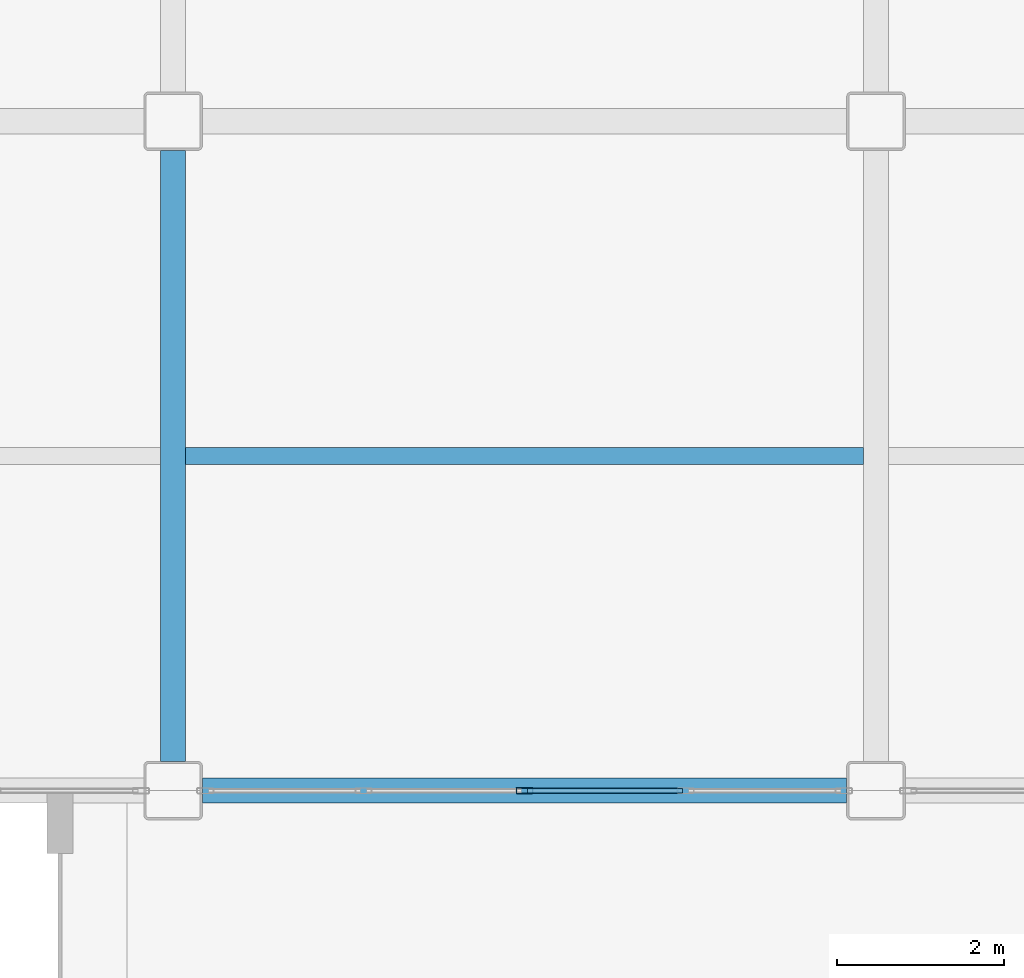
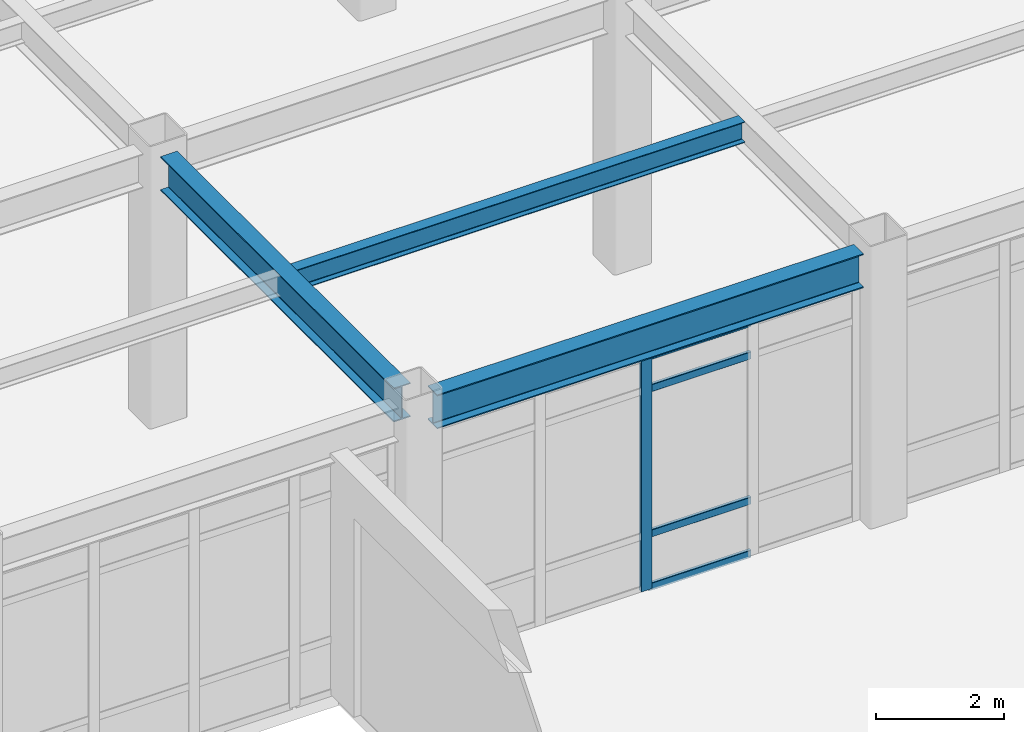
# One storey, part 46 of 165: 5 members, 3 beams, 1 element without a shape of its own.
"""IFC4 building model written with IfcOpenShell, lengths in metres."""

from ifc_helpers import new_model, si_unit, direction, frame, origin, origin_2d, place, context, subcontext, project, spatial, hollow_rectangle, i_section, extrude, material, layer, layer_set, material_profile, profile_set, type_object, element, aggregate, save


model = new_model("IFC4")

# Units and contexts
model_context = context("Model", 3, precision=1e-05, world=origin(), true_north=direction((0.0, 1.0)))
body_context = subcontext(model_context, "Body", "Model", "MODEL_VIEW")
ifc_project = project(units=[si_unit("LENGTHUNIT", "METRE"), si_unit("AREAUNIT", "SQUARE_METRE"), si_unit("VOLUMEUNIT", "CUBIC_METRE"), si_unit("PLANEANGLEUNIT", "RADIAN"), si_unit("MASSUNIT", "GRAM", prefix="KILO")], contexts=[model_context])

# Site, building, storey
site_placement = place(None, origin())
site = spatial("IfcSite", under=ifc_project, at=site_placement, CompositionType="ELEMENT")
building_placement = place(site_placement, origin())
building = spatial("IfcBuilding", under=site, at=building_placement, Name="Kazehara Bluff Congress Hotel", CompositionType="ELEMENT")
storey_placement = place(building_placement, origin())
storey = spatial("IfcBuildingStorey", under=building, at=storey_placement, Name="L00", CompositionType="ELEMENT", Elevation=0.0)

# Curtain wall, members
ifc_material_1 = material(Name="Anodised aluminium", Category="aluminium")
ifc_layer = layer(ifc_material_1, 0.159912109375)
ifc_layer_set = layer_set([ifc_layer], Name="Anodised aluminium")
curtain_wall_type = type_object("IfcCurtainWallType", Name="TP-CW-26", PredefinedType="NOTDEFINED", material=ifc_layer_set)
curtain_wall_placement = place(storey_placement, origin())
curtain_wall = element("IfcCurtainWall", 1, at=curtain_wall_placement, inside=storey, type_object=curtain_wall_type, Name="L00 curtain wall CW-26 CW-V5-L00-Y1600-11885", PredefinedType="NOTDEFINED")
ifc_material_2 = material(Name="Anodised aluminium", Category="aluminium")
ifc_material_profile_1 = material_profile(ifc_material_2, hollow_rectangle(XDim=0.070068359375, YDim=0.199951171875, WallThickness=0.0048828125, InnerFilletRadius=0.0048828125, OuterFilletRadius=0.010009765625, at=origin_2d()))
ifc_profile_set_1 = profile_set([ifc_material_profile_1], Name="Anodised aluminium")
member_type_1 = type_object("IfcMemberType", Name="TP-CWM-03", PredefinedType="MULLION", material=ifc_profile_set_1)
member_1_placement = place(storey_placement, frame((122.699951171875, 16.0, 0.0), z_axis=(0.0, 0.0, 1.0), x_axis=(0.0, 1.0, 0.0)))
member_1 = element("IfcMember", 2, at=member_1_placement, type_object=member_type_1, Name="CW-26 mullion 3", PredefinedType="MULLION", context=body_context, shape_type="SweptSolid", body=[
    extrude(hollow_rectangle(XDim=0.070068359375, YDim=0.199951171875, WallThickness=0.0048828125, InnerFilletRadius=0.0048828125, OuterFilletRadius=0.010009765625, at=origin_2d()), origin(), (0.0, 0.0, 1.0), 4.47509765625),
])
ifc_material_3 = material(Name="Anodised aluminium", Category="aluminium")
ifc_material_profile_2 = material_profile(ifc_material_3, hollow_rectangle(XDim=0.06494140625, YDim=0.139892578125, WallThickness=0.00390625, InnerFilletRadius=0.00390625, OuterFilletRadius=0.008056640625, at=origin_2d()))
ifc_profile_set_2 = profile_set([ifc_material_profile_2], Name="Anodised aluminium")
member_type_2 = type_object("IfcMemberType", Name="TP-CWT-02", PredefinedType="USERDEFINED", material=ifc_profile_set_2)
member_2_placement = place(storey_placement, frame((122.735107421875, 16.0, 0.032470703125), z_axis=(1.0, 0.0, 0.0), x_axis=(0.0, 1.0, 0.0)))
member_2 = element("IfcMember", 3, at=member_2_placement, type_object=member_type_2, Name="CW-26 transom 3.1", ObjectType="TRANSOM", PredefinedType="USERDEFINED", context=body_context, shape_type="SweptSolid", body=[
    extrude(hollow_rectangle(XDim=0.06494140625, YDim=0.139892578125, WallThickness=0.00390625, InnerFilletRadius=0.00390625, OuterFilletRadius=0.008056640625, at=origin_2d()), origin(), (0.0, 0.0, 1.0), 1.85498046875),
])
member_3_placement = place(storey_placement, frame((122.735107421875, 16.0, 1.050048828125), z_axis=(1.0, 0.0, 0.0), x_axis=(0.0, 1.0, 0.0)))
member_3 = element("IfcMember", 4, at=member_3_placement, type_object=member_type_2, Name="CW-26 transom 3.2", ObjectType="TRANSOM", PredefinedType="USERDEFINED", context=body_context, shape_type="SweptSolid", body=[
    extrude(hollow_rectangle(XDim=0.06494140625, YDim=0.139892578125, WallThickness=0.00390625, InnerFilletRadius=0.00390625, OuterFilletRadius=0.008056640625, at=origin_2d()), origin(), (0.0, 0.0, 1.0), 1.85498046875),
])
member_4_placement = place(storey_placement, frame((122.735107421875, 16.0, 3.824951171875), z_axis=(1.0, 0.0, 0.0), x_axis=(0.0, 1.0, 0.0)))
member_4 = element("IfcMember", 5, at=member_4_placement, type_object=member_type_2, Name="CW-26 transom 3.3", ObjectType="TRANSOM", PredefinedType="USERDEFINED", context=body_context, shape_type="SweptSolid", body=[
    extrude(hollow_rectangle(XDim=0.06494140625, YDim=0.139892578125, WallThickness=0.00390625, InnerFilletRadius=0.00390625, OuterFilletRadius=0.008056640625, at=origin_2d()), origin(), (0.0, 0.0, 1.0), 1.85498046875),
])
member_5_placement = place(storey_placement, frame((122.735107421875, 16.0, 4.4423828125), z_axis=(1.0, 0.0, 0.0), x_axis=(0.0, 1.0, 0.0)))
member_5 = element("IfcMember", 6, at=member_5_placement, type_object=member_type_2, Name="CW-26 transom 3.4", ObjectType="TRANSOM", PredefinedType="USERDEFINED", context=body_context, shape_type="SweptSolid", body=[
    extrude(hollow_rectangle(XDim=0.06494140625, YDim=0.139892578125, WallThickness=0.00390625, InnerFilletRadius=0.00390625, OuterFilletRadius=0.008056640625, at=origin_2d()), origin(), (0.0, 0.0, 1.0), 1.85498046875),
])
aggregate(curtain_wall, [member_1, member_2, member_3, member_4, member_5])

# Beams
ifc_material_4 = material(Name="Steel SN490B", Category="steel")
ifc_material_profile_3 = material_profile(ifc_material_4, i_section(OverallWidth=0.300048828125, OverallDepth=0.64990234375, WebThickness=0.011962890625, FlangeThickness=0.02001953125, FilletRadius=0.012939453125, at=origin_2d()))
ifc_profile_set_3 = profile_set([ifc_material_profile_3], Name="Steel SN490B")
beam_type_1 = type_object("IfcBeamType", Name="TP-G-03", PredefinedType="BEAM", material=ifc_profile_set_3)
beam_1_placement = place(storey_placement, frame((118.5, 16.35009765625, 4.824951171875), z_axis=(0.0, 1.0, 0.0), x_axis=(-1.0, 0.0, 0.0)))
element("IfcBeam", 7, at=beam_1_placement, inside=storey, type_object=beam_type_1, Name="L00 girder G-03 223", PredefinedType="BEAM", context=body_context, shape_type="SweptSolid", body=[
    extrude(i_section(OverallWidth=0.300048828125, OverallDepth=0.64990234375, WebThickness=0.011962890625, FlangeThickness=0.02001953125, FilletRadius=0.012939453125, at=origin_2d()), origin(), (0.0, 0.0, 1.0), 7.2998046875),
])
beam_2_placement = place(storey_placement, frame((118.85009765625, 16.0, 4.824951171875), z_axis=(1.0, 0.0, 0.0), x_axis=(0.0, 1.0, 0.0)))
element("IfcBeam", 8, at=beam_2_placement, inside=storey, type_object=beam_type_1, Name="L00 girder G-03 278", PredefinedType="BEAM", context=body_context, shape_type="SweptSolid", body=[
    extrude(i_section(OverallWidth=0.300048828125, OverallDepth=0.64990234375, WebThickness=0.011962890625, FlangeThickness=0.02001953125, FilletRadius=0.012939453125, at=origin_2d()), origin(), (0.0, 0.0, 1.0), 7.699951171875),
])
ifc_material_5 = material(Name="Steel SN400B", Category="steel")
ifc_material_profile_4 = material_profile(ifc_material_5, i_section(OverallWidth=0.199951171875, OverallDepth=0.39990234375, WebThickness=0.008056640625, FlangeThickness=0.012939453125, FilletRadius=0.012939453125, at=origin_2d()))
ifc_profile_set_4 = profile_set([ifc_material_profile_4], Name="Steel SN400B")
beam_type_2 = type_object("IfcBeamType", Name="TP-J-03", PredefinedType="JOIST", material=ifc_profile_set_4)
beam_3_placement = place(storey_placement, frame((118.64990234375, 20.0, 4.949951171875), z_axis=(1.0, 0.0, 0.0), x_axis=(0.0, 1.0, 0.0)))
element("IfcBeam", 9, at=beam_3_placement, inside=storey, type_object=beam_type_2, Name="L00 secondary joist J-03 55", PredefinedType="JOIST", context=body_context, shape_type="SweptSolid", body=[
    extrude(i_section(OverallWidth=0.199951171875, OverallDepth=0.39990234375, WebThickness=0.008056640625, FlangeThickness=0.012939453125, FilletRadius=0.012939453125, at=origin_2d()), origin(), (0.0, 0.0, 1.0), 8.10009765625),
])

save(model, "model.ifc")
